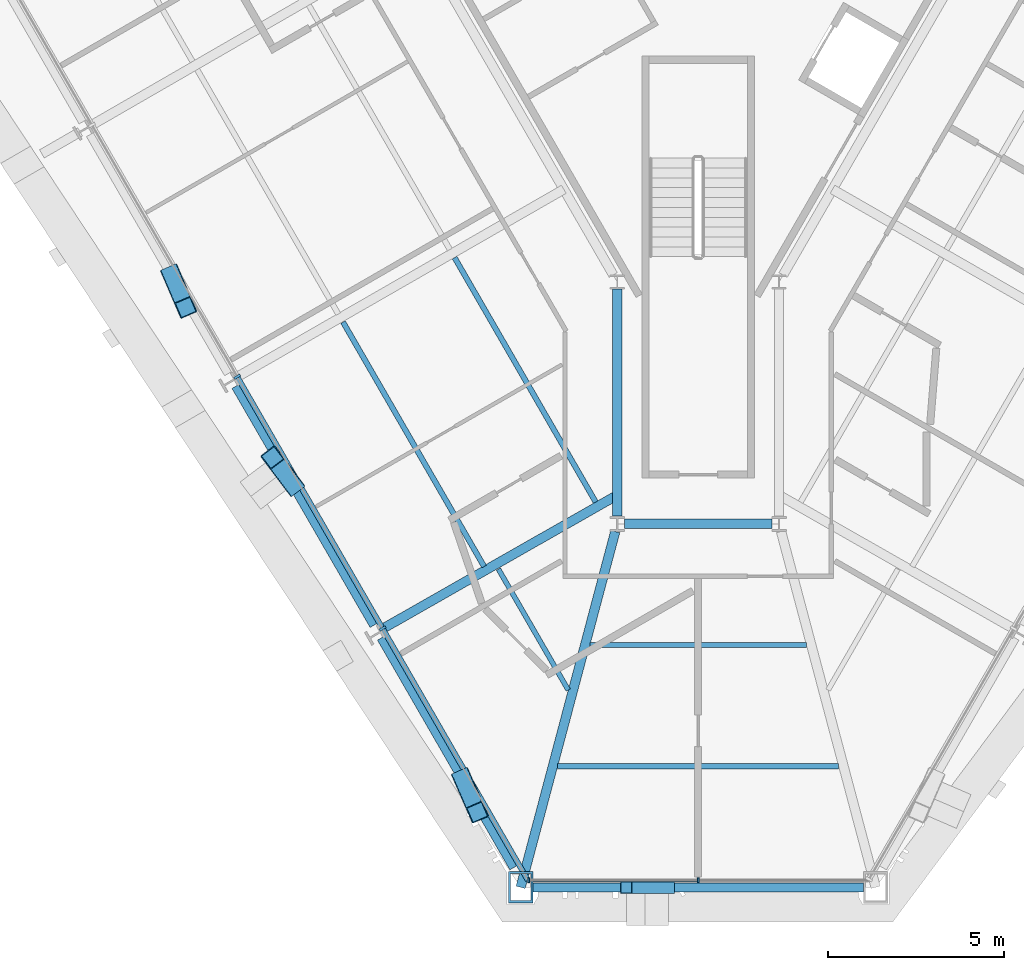
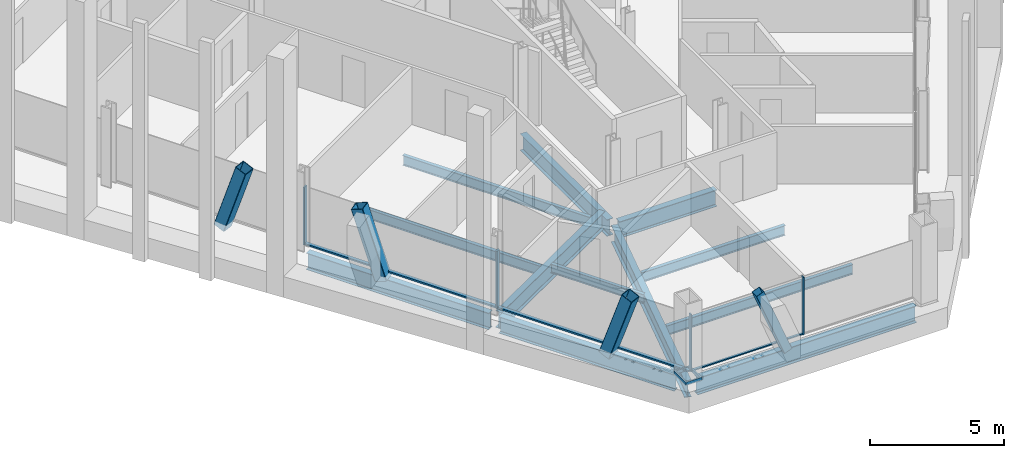
# One storey, part 3 of 17: 12 beams, 12 members, 2 elements without a shape of their own.
"""IFC4 building model written with IfcOpenShell, lengths in metres."""

from ifc_helpers import new_model, si_unit, direction, frame, origin, origin_2d, place, context, subcontext, project, spatial, rectangle, hollow_rectangle, i_section, extrude, material, material_profile, profile_set, type_object, element, aggregate, save


model = new_model("IFC4")

# Units and contexts
model_context = context("Model", 3, precision=1e-05, world=origin(), true_north=direction((0.0, 1.0)))
body_context = subcontext(model_context, "Body", "Model", "MODEL_VIEW")
ifc_project = project(units=[si_unit("LENGTHUNIT", "METRE"), si_unit("AREAUNIT", "SQUARE_METRE"), si_unit("VOLUMEUNIT", "CUBIC_METRE"), si_unit("PLANEANGLEUNIT", "RADIAN"), si_unit("MASSUNIT", "GRAM", prefix="KILO")], contexts=[model_context])

# Site, building, storey
site_placement = place(None, origin())
site = spatial("IfcSite", under=ifc_project, at=site_placement, CompositionType="ELEMENT")
building_placement = place(site_placement, origin())
building = spatial("IfcBuilding", under=site, at=building_placement, Name="Verrane Prism Tower", CompositionType="ELEMENT")
storey_placement = place(building_placement, frame((0.0, 0.0, 132.39990234375)))
storey = spatial("IfcBuildingStorey", under=building, at=storey_placement, Name="L32", CompositionType="ELEMENT", Elevation=132.39990234375)

# Member
ifc_material_1 = material(Name="Steel A500 Grade C", Category="steel")
ifc_material_profile_1 = material_profile(ifc_material_1, hollow_rectangle(XDim=0.355712890625, YDim=0.355712890625, WallThickness=0.0126953125, InnerFilletRadius=0.00634765625, OuterFilletRadius=0.01904296875, at=origin_2d()), Name="HSS14x14x1/2")
ifc_profile_set_1 = profile_set([ifc_material_profile_1], Name="Steel A500 Grade C")
member_type_1 = type_object("IfcMemberType", Name="Chamfer brace HSS14x14x1/2", PredefinedType="BRACE", material=ifc_profile_set_1)
member_1_placement = place(storey_placement, frame((-0.841064453125, -31.639892578125, -0.2451171875), z_axis=(-0.372015084341, 0.0, 0.928226684072), x_axis=(0.0, -1.0, 0.0)))
element("IfcMember", 1, at=member_1_placement, inside=storey, type_object=member_type_1, Name="Chamfer brace S0 L32", PredefinedType="BRACE", context=body_context, shape_type="SweptSolid", body=[
    extrude(hollow_rectangle(XDim=0.355712890625, YDim=0.355712890625, WallThickness=0.0126953125, InnerFilletRadius=0.00634765625, OuterFilletRadius=0.01904296875, at=origin_2d()), origin(), (0.0, 0.0, 1.0), 3.2353515625),
])

# Beams
ifc_material_2 = material(Name="Steel A992", Category="steel")
ifc_material_profile_2 = material_profile(ifc_material_2, i_section(OverallWidth=0.2666015625, OverallDepth=0.76708984375, WebThickness=0.014892578125, FlangeThickness=0.023681640625, FilletRadius=0.0166015625, at=origin_2d()), Name="W30x124")
ifc_profile_set_2 = profile_set([ifc_material_profile_2], Name="Steel A992")
beam_type_1 = type_object("IfcBeamType", Name="Chamfer spandrel beam W30x124", PredefinedType="SPANDREL", material=ifc_profile_set_2)
beam_1_placement = place(storey_placement, frame((-4.699951171875, -31.639892578125, -0.54345703125), z_axis=(1.0, 0.0, 0.0), x_axis=(0.0, 1.0, 0.0)))
element("IfcBeam", 2, at=beam_1_placement, inside=storey, type_object=beam_type_1, Name="Chamfer spandrel beam L32", PredefinedType="SPANDREL", context=body_context, shape_type="SweptSolid", body=[
    extrude(i_section(OverallWidth=0.2666015625, OverallDepth=0.76708984375, WebThickness=0.014892578125, FlangeThickness=0.023681640625, FilletRadius=0.0166015625, at=origin_2d()), origin(), (0.0, 0.0, 1.0), 9.39990234375),
])
ifc_material_3 = material(Name="Steel A992", Category="steel")
ifc_material_profile_3 = material_profile(ifc_material_3, i_section(OverallWidth=0.2666015625, OverallDepth=0.7568359375, WebThickness=0.013916015625, FlangeThickness=0.019287109375, FilletRadius=0.0166015625, at=origin_2d()), Name="W30x108")
ifc_profile_set_3 = profile_set([ifc_material_profile_3], Name="Steel A992")
beam_type_2 = type_object("IfcBeamType", Name="Core ring girder W30x108", PredefinedType="BEAM", material=ifc_profile_set_3)
beam_2_placement = place(storey_placement, frame((-2.300048828125, -14.619384765625, -0.62841796875), z_axis=(0.0, -1.0, 0.0), x_axis=(1.0, 0.0, 0.0)))
element("IfcBeam", 3, at=beam_2_placement, inside=storey, type_object=beam_type_2, Name="Core ring girder L32", PredefinedType="BEAM", context=body_context, shape_type="SweptSolid", body=[
    extrude(i_section(OverallWidth=0.2666015625, OverallDepth=0.7568359375, WebThickness=0.013916015625, FlangeThickness=0.019287109375, FilletRadius=0.0166015625, at=origin_2d()), origin(), (0.0, 0.0, 1.0), 6.46337890625),
])
beam_3_placement = place(storey_placement, frame((-2.09423828125, -21.300048828125, -0.62841796875), z_axis=(1.0, 0.0, 0.0), x_axis=(0.0, 1.0, 0.0)))
element("IfcBeam", 4, at=beam_3_placement, inside=storey, type_object=beam_type_2, Name="Core ring girder L32", PredefinedType="BEAM", context=body_context, shape_type="SweptSolid", body=[
    extrude(i_section(OverallWidth=0.2666015625, OverallDepth=0.7568359375, WebThickness=0.013916015625, FlangeThickness=0.019287109375, FilletRadius=0.0166015625, at=origin_2d()), origin(), (0.0, 0.0, 1.0), 4.1884765625),
])
ifc_material_4 = material(Name="Steel A992", Category="steel")
ifc_material_profile_4 = material_profile(ifc_material_4, i_section(OverallWidth=0.2666015625, OverallDepth=0.76708984375, WebThickness=0.014892578125, FlangeThickness=0.023681640625, FilletRadius=0.0166015625, at=origin_2d()), Name="W30x124")
ifc_profile_set_4 = profile_set([ifc_material_profile_4], Name="Steel A992")
beam_type_3 = type_object("IfcBeamType", Name="Corner girder W30x124", PredefinedType="BEAM", material=ifc_profile_set_4)
beam_4_placement = place(storey_placement, frame((-5.048828125, -31.635498046875, -0.603515625), z_axis=(0.257009497998, 0.966408877204, 0.0), x_axis=(-0.966408877204, 0.257009497998, 0.0)))
element("IfcBeam", 5, at=beam_4_placement, inside=storey, type_object=beam_type_3, Name="Corner girder L32", PredefinedType="BEAM", context=body_context, shape_type="SweptSolid", body=[
    extrude(i_section(OverallWidth=0.2666015625, OverallDepth=0.76708984375, WebThickness=0.014892578125, FlangeThickness=0.023681640625, FilletRadius=0.0166015625, at=origin_2d()), origin(), (0.0, 0.0, 1.0), 10.47021484375),
])

# Members
ifc_material_5 = material(Name="Steel A1085 Grade A", Category="steel")
ifc_material_profile_5 = material_profile(ifc_material_5, hollow_rectangle(XDim=0.508056640625, YDim=0.508056640625, WallThickness=0.025390625, InnerFilletRadius=0.0126953125, OuterFilletRadius=0.0380859375, at=origin_2d()), Name="HSS20x20x1")
ifc_profile_set_5 = profile_set([ifc_material_profile_5], Name="Steel A1085 Grade A")
member_type_2 = type_object("IfcMemberType", Name="Facade brace HSS20x20x1", PredefinedType="BRACE", material=ifc_profile_set_5)
member_2_placement = place(storey_placement, frame((-14.97265625, -14.216552734375, -0.242431640625), z_axis=(0.125355804791, -0.292112114786, 0.948133131264), x_axis=(0.918957100467, 0.394357512292, 0.0)))
element("IfcMember", 6, at=member_2_placement, inside=storey, type_object=member_type_2, Name="Facade brace SW3 L32", PredefinedType="BRACE", context=body_context, shape_type="SweptSolid", body=[
    extrude(hollow_rectangle(XDim=0.508056640625, YDim=0.508056640625, WallThickness=0.025390625, InnerFilletRadius=0.0126953125, OuterFilletRadius=0.0380859375, at=origin_2d()), origin(), (0.0, 0.0, 1.0), 3.172607421875),
])
member_3_placement = place(storey_placement, frame((-11.5224609375, -20.186767578125, -0.242431640625), z_axis=(-0.184935454366, 0.244726616304, 0.951791868525), x_axis=(-0.797818869883, -0.602897214173, 0.0)))
element("IfcMember", 7, at=member_3_placement, inside=storey, type_object=member_type_2, Name="Facade brace SW4 L32", PredefinedType="BRACE", context=body_context, shape_type="SweptSolid", body=[
    extrude(hollow_rectangle(XDim=0.508056640625, YDim=0.508056640625, WallThickness=0.025390625, InnerFilletRadius=0.0126953125, OuterFilletRadius=0.0380859375, at=origin_2d()), origin(), (0.0, 0.0, 1.0), 3.160400390625),
])
member_4_placement = place(storey_placement, frame((-6.699462890625, -28.540771484375, -0.242431640625), z_axis=(0.130483383823, -0.301215755018, 0.944586235066), x_axis=(0.917603900827, 0.397496014051, 0.0)))
element("IfcMember", 8, at=member_4_placement, inside=storey, type_object=member_type_2, Name="Facade brace SW5 L32", PredefinedType="BRACE", context=body_context, shape_type="SweptSolid", body=[
    extrude(hollow_rectangle(XDim=0.508056640625, YDim=0.508056640625, WallThickness=0.025390625, InnerFilletRadius=0.0126953125, OuterFilletRadius=0.0380859375, at=origin_2d()), origin(), (0.0, 0.0, 1.0), 3.1845703125),
])

# Beams
ifc_material_6 = material(Name="Steel A992", Category="steel")
ifc_material_profile_6 = material_profile(ifc_material_6, i_section(OverallWidth=0.140380859375, OverallDepth=0.40380859375, WebThickness=0.007080078125, FlangeThickness=0.01123046875, FilletRadius=0.01025390625, at=origin_2d()), Name="W16x31")
ifc_profile_set_6 = profile_set([ifc_material_profile_6], Name="Steel A992")
beam_type_4 = type_object("IfcBeamType", Name="Floor beam W16x31", PredefinedType="BEAM", material=ifc_profile_set_6)
beam_5_placement = place(storey_placement, frame((-3.69482421875, -26.025390625, -0.36181640625), z_axis=(-0.500073727646, 0.865982832923, 0.0), x_axis=(-0.865982832923, -0.500073727646, 0.0)))
element("IfcBeam", 9, at=beam_5_placement, inside=storey, type_object=beam_type_4, Name="Floor beam L32", PredefinedType="BEAM", context=body_context, shape_type="SweptSolid", body=[
    extrude(i_section(OverallWidth=0.140380859375, OverallDepth=0.40380859375, WebThickness=0.007080078125, FlangeThickness=0.01123046875, FilletRadius=0.01025390625, at=origin_2d()), origin(), (0.0, 0.0, 1.0), 3.970703125),
])
ifc_material_7 = material(Name="Steel A992", Category="steel")
ifc_material_profile_7 = material_profile(ifc_material_7, i_section(OverallWidth=0.15234375, OverallDepth=0.449462890625, WebThickness=0.007568359375, FlangeThickness=0.0107421875, FilletRadius=0.01025390625, at=origin_2d()), Name="W18x35")
ifc_profile_set_7 = profile_set([ifc_material_profile_7], Name="Steel A992")
beam_type_5 = type_object("IfcBeamType", Name="Floor beam W18x35", PredefinedType="BEAM", material=ifc_profile_set_7)
beam_6_placement = place(storey_placement, frame((-2.913330078125, -20.68017578125, -0.384765625), z_axis=(-0.499992771462, 0.866029577143, 0.0), x_axis=(-0.866029577143, -0.499992771462, 0.0)))
element("IfcBeam", 10, at=beam_6_placement, inside=storey, type_object=beam_type_5, Name="Floor beam L32", PredefinedType="BEAM", context=body_context, shape_type="SweptSolid", body=[
    extrude(i_section(OverallWidth=0.15234375, OverallDepth=0.449462890625, WebThickness=0.007568359375, FlangeThickness=0.0107421875, FilletRadius=0.01025390625, at=origin_2d()), origin(), (0.0, 0.0, 1.0), 8.0263671875),
])
beam_7_placement = place(storey_placement, frame((-6.0869140625, -22.51318359375, -0.384765625), z_axis=(-0.499983128917, 0.86603514409, 0.0), x_axis=(-0.86603514409, -0.499983128917, 0.0)))
element("IfcBeam", 11, at=beam_7_placement, inside=storey, type_object=beam_type_5, Name="Floor beam L32", PredefinedType="BEAM", context=body_context, shape_type="SweptSolid", body=[
    extrude(i_section(OverallWidth=0.15234375, OverallDepth=0.449462890625, WebThickness=0.007568359375, FlangeThickness=0.0107421875, FilletRadius=0.01025390625, at=origin_2d()), origin(), (0.0, 0.0, 1.0), 8.026123046875),
])
beam_8_placement = place(storey_placement, frame((-3.9951171875, -28.193359375, -0.384765625), z_axis=(1.0, 0.0, 0.0), x_axis=(0.0, 1.0, 0.0)))
element("IfcBeam", 12, at=beam_8_placement, inside=storey, type_object=beam_type_5, Name="Floor beam L32", PredefinedType="BEAM", context=body_context, shape_type="SweptSolid", body=[
    extrude(i_section(OverallWidth=0.15234375, OverallDepth=0.449462890625, WebThickness=0.007568359375, FlangeThickness=0.0107421875, FilletRadius=0.01025390625, at=origin_2d()), origin(), (0.0, 0.0, 1.0), 7.990234375),
])
beam_9_placement = place(storey_placement, frame((-3.07861328125, -24.74658203125, -0.384765625), z_axis=(1.0, 0.0, 0.0), x_axis=(0.0, 1.0, 0.0)))
element("IfcBeam", 13, at=beam_9_placement, inside=storey, type_object=beam_type_5, Name="Floor beam L32", PredefinedType="BEAM", context=body_context, shape_type="SweptSolid", body=[
    extrude(i_section(OverallWidth=0.15234375, OverallDepth=0.449462890625, WebThickness=0.007568359375, FlangeThickness=0.0107421875, FilletRadius=0.01025390625, at=origin_2d()), origin(), (0.0, 0.0, 1.0), 6.1572265625),
])

# Member
ifc_material_8 = material(Name="Steel A572 Grade 50", Category="steel")
ifc_material_profile_8 = material_profile(ifc_material_8, hollow_rectangle(XDim=0.699951171875, YDim=0.89990234375, WallThickness=0.06494140625, at=origin_2d()), Name="BOX 900x700x65")
ifc_profile_set_8 = profile_set([ifc_material_profile_8], Name="Steel A572 Grade 50")
member_type_3 = type_object("IfcMemberType", Name="Kink node BOX 900x700x65", PredefinedType="COLLAR", material=ifc_profile_set_8)
member_5_placement = place(storey_placement, frame((-5.045654296875, -31.6328125, -0.074951171875), z_axis=(0.0, 0.0, 1.0), x_axis=(-1.0, 0.0, 0.0)))
element("IfcMember", 14, at=member_5_placement, inside=storey, type_object=member_type_3, Name="Kink node MC3 L32", PredefinedType="COLLAR", context=body_context, shape_type="SweptSolid", body=[
    extrude(hollow_rectangle(XDim=0.699951171875, YDim=0.89990234375, WallThickness=0.06494140625, at=origin_2d()), origin(), (0.0, 0.0, 1.0), 0.150146484375),
])

# Curtain wall, members
ifc_material_9 = material(Name="Aluminium framed insulated glazing", Category="aluminium")
curtain_wall_type_1 = type_object("IfcCurtainWallType", Name="Curtain wall CW-C 4200 module", PredefinedType="NOTDEFINED", material=ifc_material_9)
curtain_wall_1_placement = place(storey_placement, origin())
curtain_wall_1 = element("IfcCurtainWall", 15, at=curtain_wall_1_placement, inside=storey, type_object=curtain_wall_type_1, Name="Glazed curtain wall south corner L32", PredefinedType="NOTDEFINED")
ifc_material_10 = material(Name="Aluminium alloy 6063-T6", Category="aluminium")
ifc_material_profile_9 = material_profile(ifc_material_10, rectangle(XDim=0.139892578125, YDim=0.050048828125, at=origin_2d()), Name="Mullion 50x140 aluminium")
ifc_profile_set_9 = profile_set([ifc_material_profile_9], Name="Aluminium alloy 6063-T6")
member_type_4 = type_object("IfcMemberType", Name="Mullion 50x140 aluminium", PredefinedType="MULLION", material=ifc_profile_set_9)
member_6_placement = place(storey_placement, frame((-4.81689453125, -31.435546875, 0.0), z_axis=(0.0, 0.0, 1.0), x_axis=(0.0, 1.0, 0.0)))
member_6 = element("IfcMember", 16, at=member_6_placement, type_object=member_type_4, Name="CW32.5 mullion 1", PredefinedType="MULLION", context=body_context, shape_type="SweptSolid", body=[
    extrude(rectangle(XDim=0.139892578125, YDim=0.050048828125, at=origin_2d()), origin(), (0.0, 0.0, 1.0), 2.613037109375),
])
member_7_placement = place(storey_placement, frame((0.0, -31.435546875, 0.0), z_axis=(0.0, 0.0, 1.0), x_axis=(0.0, 1.0, 0.0)))
member_7 = element("IfcMember", 17, at=member_7_placement, type_object=member_type_4, Name="CW32.5 mullion 2", PredefinedType="MULLION", context=body_context, shape_type="SweptSolid", body=[
    extrude(rectangle(XDim=0.139892578125, YDim=0.050048828125, at=origin_2d()), origin(), (0.0, 0.0, 1.0), 2.613037109375),
])

ifc_material_11 = material(Name="Aluminium framed insulated glazing", Category="aluminium")
curtain_wall_type_2 = type_object("IfcCurtainWallType", Name="Curtain wall CW-A 8400 module", PredefinedType="NOTDEFINED", material=ifc_material_11)
curtain_wall_2_placement = place(storey_placement, origin())
curtain_wall_2 = element("IfcCurtainWall", 18, at=curtain_wall_2_placement, inside=storey, type_object=curtain_wall_type_2, Name="Glazed curtain wall south-west face L32", PredefinedType="NOTDEFINED")
ifc_material_12 = material(Name="Aluminium alloy 6063-T6", Category="aluminium")
ifc_material_profile_10 = material_profile(ifc_material_12, rectangle(XDim=0.199951171875, YDim=0.070068359375, at=origin_2d()), Name="Mullion 70x200 aluminium")
ifc_profile_set_10 = profile_set([ifc_material_profile_10], Name="Aluminium alloy 6063-T6")
member_type_5 = type_object("IfcMemberType", Name="Mullion 70x200 aluminium", PredefinedType="MULLION", material=ifc_profile_set_10)
member_8_placement = place(storey_placement, frame((-13.109619140625, -17.115478515625, 0.0), z_axis=(0.0, 0.0, 1.0), x_axis=(0.866025120648, 0.500000490406, 0.0)))
member_8 = element("IfcMember", 19, at=member_8_placement, type_object=member_type_5, Name="CW32.4 mullion 5", PredefinedType="MULLION", context=body_context, shape_type="SweptSolid", body=[
    extrude(rectangle(XDim=0.199951171875, YDim=0.070068359375, at=origin_2d()), origin(), (0.0, 0.0, 1.0), 2.613037109375),
])
member_9_placement = place(storey_placement, frame((-8.975830078125, -24.275390625, 0.0), z_axis=(0.0, 0.0, 1.0), x_axis=(0.866025120648, 0.500000490406, 0.0)))
member_9 = element("IfcMember", 20, at=member_9_placement, type_object=member_type_5, Name="CW32.4 mullion 6", PredefinedType="MULLION", context=body_context, shape_type="SweptSolid", body=[
    extrude(rectangle(XDim=0.199951171875, YDim=0.070068359375, at=origin_2d()), origin(), (0.0, 0.0, 1.0), 2.613037109375),
])

# Beams
ifc_material_13 = material(Name="Steel A992", Category="steel")
ifc_material_profile_11 = material_profile(ifc_material_13, i_section(OverallWidth=0.2666015625, OverallDepth=0.76708984375, WebThickness=0.014892578125, FlangeThickness=0.023681640625, FilletRadius=0.0166015625, at=origin_2d()), Name="W30x124")
ifc_profile_set_11 = profile_set([ifc_material_profile_11], Name="Steel A992")
beam_type_6 = type_object("IfcBeamType", Name="Radial girder W30x124", PredefinedType="BEAM", material=ifc_profile_set_11)
beam_10_placement = place(storey_placement, frame((-8.912841796875, -24.24755859375, -0.603515625), z_axis=(0.868998303733, 0.494815064553, 0.0), x_axis=(-0.494815064553, 0.868998303733, 0.0)))
element("IfcBeam", 21, at=beam_10_placement, inside=storey, type_object=beam_type_6, Name="Radial girder L32", PredefinedType="BEAM", context=body_context, shape_type="SweptSolid", body=[
    extrude(i_section(OverallWidth=0.2666015625, OverallDepth=0.76708984375, WebThickness=0.014892578125, FlangeThickness=0.023681640625, FilletRadius=0.0166015625, at=origin_2d()), origin(), (0.0, 0.0, 1.0), 7.609619140625),
])
ifc_material_14 = material(Name="Steel A992", Category="steel")
ifc_material_profile_12 = material_profile(ifc_material_14, i_section(OverallWidth=0.2666015625, OverallDepth=0.7568359375, WebThickness=0.013916015625, FlangeThickness=0.019287109375, FilletRadius=0.0166015625, at=origin_2d()), Name="W30x108")
ifc_profile_set_12 = profile_set([ifc_material_profile_12], Name="Steel A992")
beam_type_7 = type_object("IfcBeamType", Name="Spandrel beam W30x108", PredefinedType="SPANDREL", material=ifc_profile_set_12)
beam_11_placement = place(storey_placement, frame((-13.1435546875, -17.3818359375, -0.538330078125), z_axis=(0.500409712732, -0.865788726771, 0.0), x_axis=(0.865788726771, 0.500409712732, 0.0)))
element("IfcBeam", 22, at=beam_11_placement, inside=storey, type_object=beam_type_7, Name="Spandrel beam L32", PredefinedType="SPANDREL", context=body_context, shape_type="SweptSolid", body=[
    extrude(i_section(OverallWidth=0.2666015625, OverallDepth=0.7568359375, WebThickness=0.013916015625, FlangeThickness=0.019287109375, FilletRadius=0.0166015625, at=origin_2d()), origin(), (0.0, 0.0, 1.0), 7.8505859375),
])
beam_12_placement = place(storey_placement, frame((-9.005615234375, -24.54150390625, -0.538330078125), z_axis=(0.499567294813, -0.866275082149, 0.0), x_axis=(0.866275082149, 0.499567294813, 0.0)))
element("IfcBeam", 23, at=beam_12_placement, inside=storey, type_object=beam_type_7, Name="Spandrel beam L32", PredefinedType="SPANDREL", context=body_context, shape_type="SweptSolid", body=[
    extrude(i_section(OverallWidth=0.2666015625, OverallDepth=0.7568359375, WebThickness=0.013916015625, FlangeThickness=0.019287109375, FilletRadius=0.0166015625, at=origin_2d()), origin(), (0.0, 0.0, 1.0), 7.537841796875),
])

# Member
ifc_material_15 = material(Name="Aluminium alloy 6063-T6", Category="aluminium")
ifc_material_profile_13 = material_profile(ifc_material_15, rectangle(XDim=0.10009765625, YDim=0.050048828125, at=origin_2d()), Name="Transom 50x100 aluminium")
ifc_profile_set_13 = profile_set([ifc_material_profile_13], Name="Aluminium alloy 6063-T6")
member_type_6 = type_object("IfcMemberType", Name="Transom 50x100 aluminium", PredefinedType="USERDEFINED", material=ifc_profile_set_13)
member_10_placement = place(storey_placement, frame((-4.7919921875, -31.435546875, 0.025146484375), z_axis=(1.0, 0.0, 0.0), x_axis=(0.0, 1.0, 0.0)))
member_10 = element("IfcMember", 24, at=member_10_placement, type_object=member_type_6, Name="CW32.5 transom 1", ObjectType="TRANSOM", PredefinedType="USERDEFINED", context=body_context, shape_type="SweptSolid", body=[
    extrude(rectangle(XDim=0.10009765625, YDim=0.050048828125, at=origin_2d()), origin(), (0.0, 0.0, 1.0), 4.76708984375),
])

aggregate(curtain_wall_1, [member_6, member_7, member_10])

ifc_material_16 = material(Name="Aluminium alloy 6063-T6", Category="aluminium")
ifc_material_profile_14 = material_profile(ifc_material_16, rectangle(XDim=0.14990234375, YDim=0.070068359375, at=origin_2d()), Name="Transom 70x150 aluminium")
ifc_profile_set_14 = profile_set([ifc_material_profile_14], Name="Aluminium alloy 6063-T6")
member_type_7 = type_object("IfcMemberType", Name="Transom 70x150 aluminium", PredefinedType="USERDEFINED", material=ifc_profile_set_14)
member_11_placement = place(storey_placement, frame((-13.092041015625, -17.145751953125, 0.03515625), z_axis=(0.500005171338, -0.866022418091, 0.0), x_axis=(0.866022418091, 0.500005171338, 0.0)))
member_11 = element("IfcMember", 25, at=member_11_placement, type_object=member_type_7, Name="CW32.4 transom 5", ObjectType="TRANSOM", PredefinedType="USERDEFINED", context=body_context, shape_type="SweptSolid", body=[
    extrude(rectangle(XDim=0.14990234375, YDim=0.070068359375, at=origin_2d()), origin(), (0.0, 0.0, 1.0), 8.19775390625),
])

member_12_placement = place(storey_placement, frame((-8.958251953125, -24.305908203125, 0.03515625), z_axis=(0.500014236345, -0.866017184271, 0.0), x_axis=(0.866017184271, 0.500014236345, 0.0)))
member_12 = element("IfcMember", 26, at=member_12_placement, type_object=member_type_7, Name="CW32.4 transom 6", ObjectType="TRANSOM", PredefinedType="USERDEFINED", context=body_context, shape_type="SweptSolid", body=[
    extrude(rectangle(XDim=0.14990234375, YDim=0.070068359375, at=origin_2d()), origin(), (0.0, 0.0, 1.0), 8.232666015625),
])

aggregate(curtain_wall_2, [member_8, member_9, member_11, member_12])

save(model, "model.ifc")
